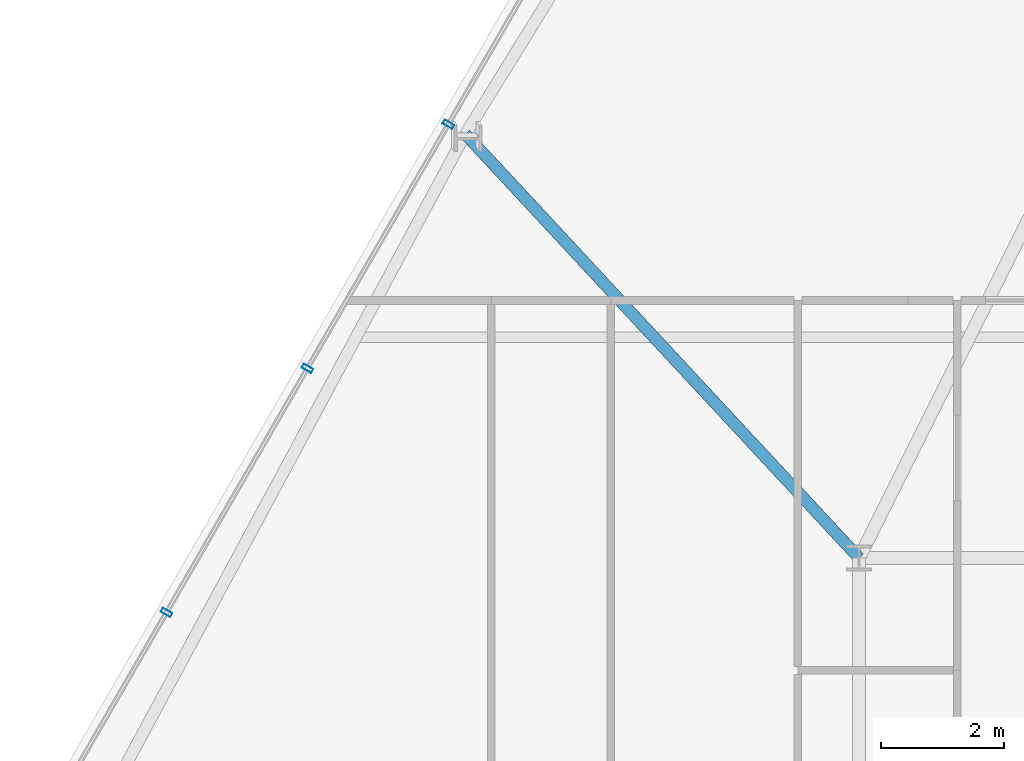
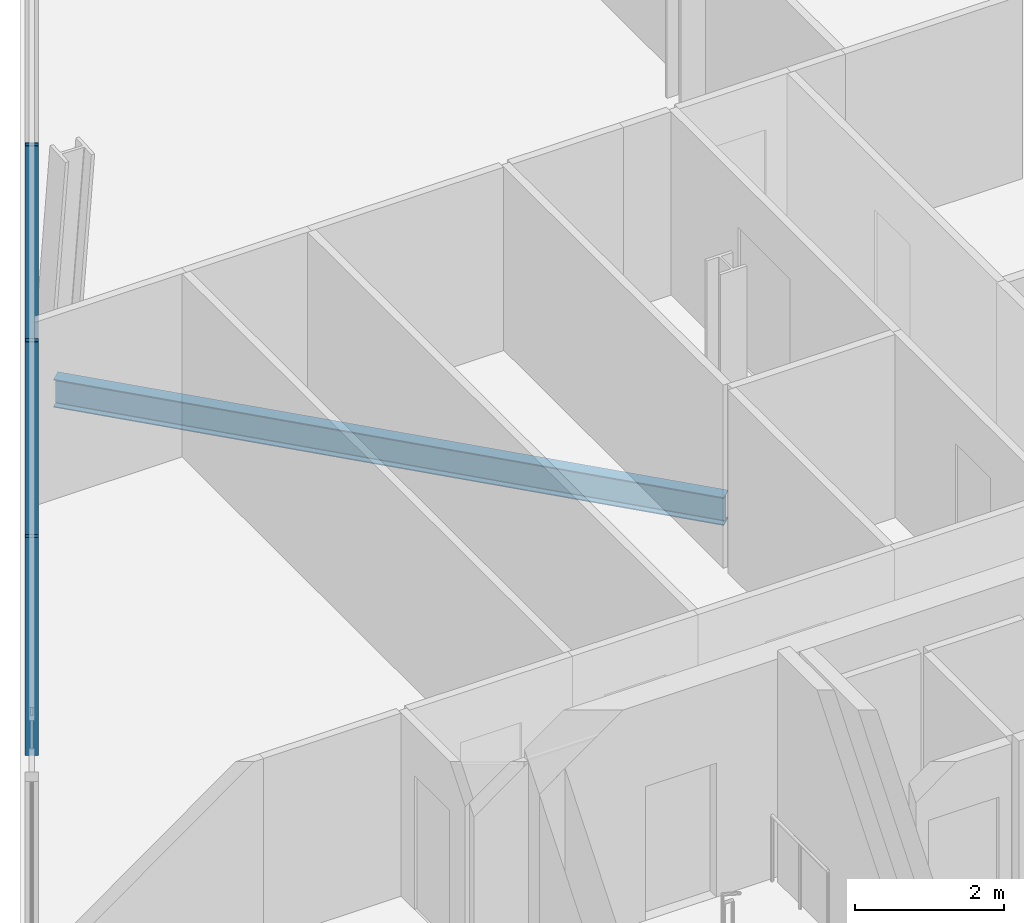
# One storey, part 11 of 33: 3 members, 1 beam, 1 element without a shape of its own.
"""IFC4 building model written with IfcOpenShell, lengths in metres."""

from ifc_helpers import new_model, si_unit, direction, frame, origin, origin_2d, place, context, subcontext, project, spatial, hollow_rectangle, i_section, extrude, material, layer, layer_set, material_profile, profile_set, type_object, element, aggregate, save


model = new_model("IFC4")

# Units and contexts
model_context = context("Model", 3, precision=1e-05, world=origin(), true_north=direction((0.0, 1.0)))
body_context = subcontext(model_context, "Body", "Model", "MODEL_VIEW")
ifc_project = project(units=[si_unit("LENGTHUNIT", "METRE"), si_unit("AREAUNIT", "SQUARE_METRE"), si_unit("VOLUMEUNIT", "CUBIC_METRE"), si_unit("PLANEANGLEUNIT", "RADIAN"), si_unit("MASSUNIT", "GRAM", prefix="KILO")], contexts=[model_context])

# Site, building, storey
site_placement = place(None, origin())
site = spatial("IfcSite", under=ifc_project, at=site_placement, CompositionType="ELEMENT")
building_placement = place(site_placement, origin())
building = spatial("IfcBuilding", under=site, at=building_placement, Name="Ndaravel Arena Tower", CompositionType="ELEMENT")
storey_placement = place(building_placement, frame((0.0, 0.0, 168.800048828125)))
storey = spatial("IfcBuildingStorey", under=building, at=storey_placement, Name="L40", CompositionType="ELEMENT", Elevation=168.800048828125)

# Beam
ifc_material_1 = material(Name="Steel S355", Category="steel")
ifc_material_profile_1 = material_profile(ifc_material_1, i_section(OverallWidth=0.19140625, OverallDepth=0.4599609375, WebThickness=0.010009765625, FlangeThickness=0.01611328125, FilletRadius=0.01025390625, at=origin_2d()), Name="UB 457x191x82")
ifc_profile_set_1 = profile_set([ifc_material_profile_1], Name="Steel S355")
beam_type = type_object("IfcBeamType", Name="BM-GIRD-UB457", PredefinedType="BEAM", material=ifc_profile_set_1)
beam_placement = place(storey_placement, frame((27.77685546875, 30.114990234375, -0.449951171875), z_axis=(0.680564202246, -0.732688451268, 0.0), x_axis=(0.732688451268, 0.680564202246, 0.0)))
element("IfcBeam", 1, at=beam_placement, inside=storey, type_object=beam_type, Name="L40 Radial Floor Girder FG-19", PredefinedType="BEAM", context=body_context, shape_type="SweptSolid", body=[
    extrude(i_section(OverallWidth=0.19140625, OverallDepth=0.4599609375, WebThickness=0.010009765625, FlangeThickness=0.01611328125, FilletRadius=0.01025390625, at=origin_2d()), origin(), (0.0, 0.0, 1.0), 9.43798828125),
])

# Curtain wall, members
ifc_material_2 = material(Name="Aluminium", Category="aluminium")
ifc_layer = layer(ifc_material_2, 0.179931640625)
ifc_layer_set = layer_set([ifc_layer], Name="Aluminium")
curtain_wall_type = type_object("IfcCurtainWallType", Name="CW-SYS-03", PredefinedType="NOTDEFINED", material=ifc_layer_set)
curtain_wall_placement = place(storey_placement, origin())
curtain_wall = element("IfcCurtainWall", 2, at=curtain_wall_placement, inside=storey, type_object=curtain_wall_type, Name="L40 Faceted Crystal Curtain Wall CW-L40-E05", PredefinedType="NOTDEFINED")
ifc_material_3 = material(Name="Aluminium", Category="aluminium")
ifc_material_profile_2 = material_profile(ifc_material_3, hollow_rectangle(XDim=0.074951171875, YDim=0.179931640625, WallThickness=0.00390625, at=origin_2d()), Name="CW MULLION 75x180x4")
ifc_profile_set_2 = profile_set([ifc_material_profile_2], Name="Aluminium")
member_type = type_object("IfcMemberType", Name="MEM-CW-MUL180", PredefinedType="MULLION", material=ifc_profile_set_2)
member_1_placement = place(storey_placement, frame((27.499755859375, 30.275146484375, 0.0), z_axis=(0.0, 0.0, 1.0), x_axis=(-0.5, -0.866025403784, 0.0)))
member_1 = element("IfcMember", 3, at=member_1_placement, type_object=member_type, Name="CW-L40-E05 Mullion 04", PredefinedType="MULLION", context=body_context, shape_type="SweptSolid", body=[
    extrude(hollow_rectangle(XDim=0.074951171875, YDim=0.179931640625, WallThickness=0.00390625, at=origin_2d()), origin(), (0.0, 0.0, 1.0), 3.579833984375),
])
member_2_placement = place(storey_placement, frame((25.200927734375, 26.29345703125, 0.0), z_axis=(0.0, 0.0, 1.0), x_axis=(-0.5, -0.866025403784, 0.0)))
member_2 = element("IfcMember", 4, at=member_2_placement, type_object=member_type, Name="CW-L40-E05 Mullion 05", PredefinedType="MULLION", context=body_context, shape_type="SweptSolid", body=[
    extrude(hollow_rectangle(XDim=0.074951171875, YDim=0.179931640625, WallThickness=0.00390625, at=origin_2d()), origin(), (0.0, 0.0, 1.0), 3.579833984375),
])
member_3_placement = place(storey_placement, frame((22.902099609375, 22.311767578125, 0.0), z_axis=(0.0, 0.0, 1.0), x_axis=(-0.5, -0.866025403784, 0.0)))
member_3 = element("IfcMember", 5, at=member_3_placement, type_object=member_type, Name="CW-L40-E05 Mullion 06", PredefinedType="MULLION", context=body_context, shape_type="SweptSolid", body=[
    extrude(hollow_rectangle(XDim=0.074951171875, YDim=0.179931640625, WallThickness=0.00390625, at=origin_2d()), origin(), (0.0, 0.0, 1.0), 3.579833984375),
])
aggregate(curtain_wall, [member_1, member_2, member_3])

save(model, "model.ifc")
